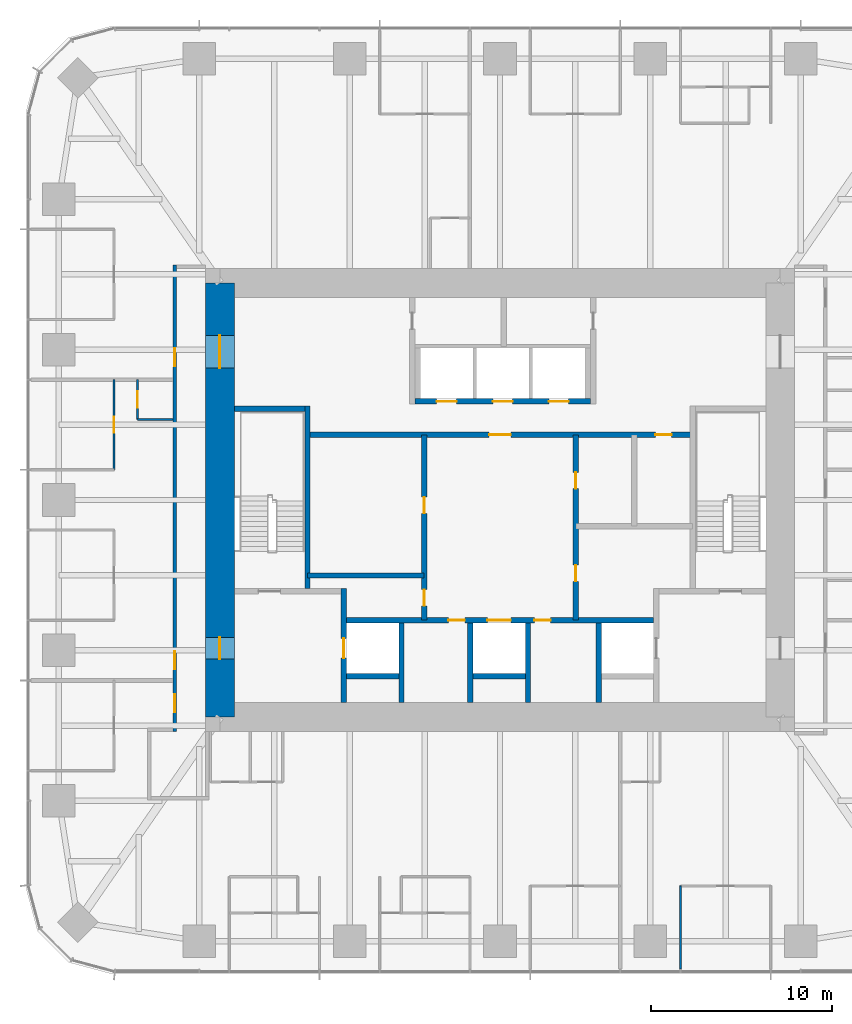
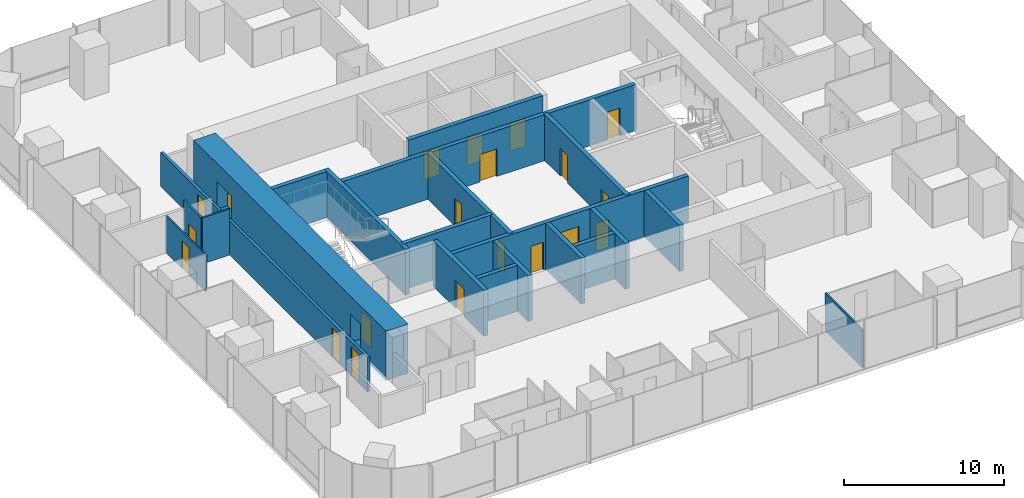
# One storey, part 9 of 12: 21 walls, 20 doors, 20 openings.
"""IFC4 building model written with IfcOpenShell, lengths in metres."""

from ifc_helpers import new_model, si_unit, direction, frame, frame_2d, origin, place, context, subcontext, project, spatial, rectangle, extrude, material, layer, layer_set, type_object, element, fill, save


model = new_model("IFC4")

# Units and contexts
model_context = context("Model", 3, precision=1e-05, world=origin(), true_north=direction((0.0, 1.0)))
body_context = subcontext(model_context, "Body", "Model", "MODEL_VIEW")
ifc_project = project(units=[si_unit("LENGTHUNIT", "METRE"), si_unit("AREAUNIT", "SQUARE_METRE"), si_unit("VOLUMEUNIT", "CUBIC_METRE"), si_unit("PLANEANGLEUNIT", "RADIAN"), si_unit("MASSUNIT", "GRAM", prefix="KILO")], contexts=[model_context])

# Site, building, storey
site_placement = place(None, origin())
site = spatial("IfcSite", under=ifc_project, at=site_placement, CompositionType="ELEMENT")
building_placement = place(site_placement, origin())
building = spatial("IfcBuilding", under=site, at=building_placement, Name="Khuree Lantern Residences", CompositionType="ELEMENT")
storey_placement = place(building_placement, frame((0.0, 0.0, 229.5)))
storey = spatial("IfcBuildingStorey", under=building, at=storey_placement, Name="L57", CompositionType="ELEMENT", Elevation=229.5)

# Wall, opening, door
ifc_material_1 = material(Name="Moisture-resistant gypsum board on steel studs", Category="steel")
ifc_layer_1 = layer(ifc_material_1, 0.125)
ifc_layer_set_1 = layer_set([ifc_layer_1], Name="BATHROOM WALL BTW125")
wall_type_1 = type_object("IfcWallType", Name="BATHROOM WALL BTW125", PredefinedType="PARTITIONING", material=ifc_layer_set_1)
wall_1_placement = place(storey_placement, frame((-20.050048828125, 6.656005859375, 0.0), z_axis=(0.0, 0.0, 1.0), x_axis=(0.0, -1.0, 0.0)))
wall_1 = element("IfcWall", 1, at=wall_1_placement, inside=storey, type_object=wall_type_1, Name="L57 BATHROOM WALL 04", PredefinedType="PARTITIONING", context=body_context, shape_type="SweptSolid", body=[
    extrude(rectangle(XDim=2.199951171875, YDim=0.125, at=frame_2d((1.10009765625, 0.0))), origin(), (0.0, 0.0, 1.0), 3.5),
])
opening_1_placement = place(wall_1_placement, frame((0.64990234375, 0.0, 0.0)))
opening_1 = element("IfcOpeningElement", 2, at=opening_1_placement, cuts=wall_1, Name="Opening 57-041", PredefinedType="OPENING", context=body_context, shape_type="SweptSolid", body=[
    extrude(rectangle(XDim=0.89990234375, YDim=2.10009765625, at=frame_2d((0.449951171875, 1.050048828125))), frame((0.0, 0.072509765625, 0.0), z_axis=(0.0, -1.0, 0.0), x_axis=(1.0, 0.0, 0.0)), (0.0, 0.0, 1.0), 0.14501953125),
])
ifc_material_2 = material(Name="Timber door leaf in hardwood frame", Category="wood")
door_type_1 = type_object("IfcDoorType", Name="BATHROOM DOOR 900X2100", OperationType="SINGLE_SWING_LEFT", PredefinedType="DOOR", material=ifc_material_2)
door_1_placement = place(opening_1_placement, origin())
door_1 = element("IfcDoor", 3, at=door_1_placement, inside=storey, type_object=door_type_1, Name="Bathroom door 57-041", OperationType="SINGLE_SWING_LEFT", OverallHeight=2.10009765625, OverallWidth=0.89990234375, PredefinedType="DOOR", context=body_context, shape_type="SweptSolid", body=[
    extrude(rectangle(XDim=0.89990234375, YDim=2.10009765625, at=frame_2d((0.449951171875, 1.050048828125))), frame((0.0, 0.02490234375, 0.0), z_axis=(0.0, -1.0, 0.0), x_axis=(1.0, 0.0, 0.0)), (0.0, 0.0, 1.0), 0.050048828125),
])
fill(opening_1, door_1)

# Wall
wall_2_placement = place(storey_placement, frame((-18.10009765625, 4.4560546875, 0.0), z_axis=(0.0, 0.0, 1.0), x_axis=(-1.0, 0.0, 0.0)))
element("IfcWall", 4, at=wall_2_placement, inside=storey, type_object=wall_type_1, Name="L57 BATHROOM WALL 04", PredefinedType="PARTITIONING", context=body_context, shape_type="SweptSolid", body=[
    extrude(rectangle(XDim=1.949951171875, YDim=0.125, at=frame_2d((0.97509765625, 0.0))), origin(), (0.0, 0.0, 1.0), 3.5),
])

# Wall, opening, door
ifc_material_3 = material(Name="Dense concrete blockwork", Category="masonry")
ifc_layer_2 = layer(ifc_material_3, 0.300048828125)
ifc_layer_set_2 = layer_set([ifc_layer_2], Name="CORE PARTITION WALL CPW300 EI 120")
wall_type_2 = type_object("IfcWallType", Name="CORE PARTITION WALL CPW300 EI 120", PredefinedType="PARTITIONING", material=ifc_layer_set_2)
wall_3_placement = place(storey_placement, frame((-8.64990234375, -11.199951171875, 0.0), z_axis=(0.0, 0.0, 1.0), x_axis=(0.0, 1.0, 0.0)))
wall_3 = element("IfcWall", 5, at=wall_3_placement, inside=storey, type_object=wall_type_2, Name="L57 CORE WALL FL1W", PredefinedType="PARTITIONING", context=body_context, shape_type="SweptSolid", body=[
    extrude(rectangle(XDim=6.300048828125, YDim=0.300048828125, at=frame_2d((3.14990234375, 0.0))), origin(), (0.0, 0.0, 1.0), 3.5),
])
opening_2_placement = place(wall_3_placement, frame((2.449951171875, 0.0, 0.0)))
opening_2 = element("IfcOpeningElement", 6, at=opening_2_placement, cuts=wall_3, Name="Opening 57-007", PredefinedType="OPENING", context=body_context, shape_type="SweptSolid", body=[
    extrude(rectangle(XDim=1.10009765625, YDim=2.10009765625, at=frame_2d((0.550048828125, 1.050048828125))), frame((0.0, 0.16015625, 0.0), z_axis=(0.0, -1.0, 0.0), x_axis=(1.0, 0.0, 0.0)), (0.0, 0.0, 1.0), 0.320068359375),
])
ifc_material_4 = material(Name="Stainless steel lift landing door", Category="steel")
door_type_2 = type_object("IfcDoorType", Name="LIFT LANDING DOOR 1100X2100 E 120", OperationType="DOUBLE_DOOR_SLIDING", PredefinedType="DOOR", material=ifc_material_4)
door_2_placement = place(opening_2_placement, origin())
door_2 = element("IfcDoor", 7, at=door_2_placement, inside=storey, type_object=door_type_2, Name="Landing door FL1 57-007", OperationType="DOUBLE_DOOR_SLIDING", OverallHeight=2.10009765625, OverallWidth=1.10009765625, PredefinedType="DOOR", context=body_context, shape_type="SweptSolid", body=[
    extrude(rectangle(XDim=1.10009765625, YDim=2.10009765625, at=frame_2d((0.550048828125, 1.050048828125))), frame((0.0, 0.02490234375, 0.0), z_axis=(0.0, -1.0, 0.0), x_axis=(1.0, 0.0, 0.0)), (0.0, 0.0, 1.0), 0.050048828125),
])
fill(opening_2, door_2)

# Wall, openings, doors
wall_4_placement = place(storey_placement, frame((-8.5, -6.64990234375, 0.0), z_axis=(0.0, 0.0, 1.0), x_axis=(1.0, 0.0, 0.0)))
wall_4 = element("IfcWall", 8, at=wall_4_placement, inside=storey, type_object=wall_type_2, Name="L57 CORE WALL FLROW", PredefinedType="PARTITIONING", context=body_context, shape_type="SweptSolid", body=[
    extrude(rectangle(XDim=17.0, YDim=0.300048828125, at=frame_2d((8.5, 0.0))), origin(), (0.0, 0.0, 1.0), 3.5),
])
opening_3_placement = place(wall_4_placement, frame((7.800048828125, 0.0, 0.0)))
opening_3 = element("IfcOpeningElement", 9, at=opening_3_placement, cuts=wall_4, Name="Opening 57-012", PredefinedType="OPENING", context=body_context, shape_type="SweptSolid", body=[
    extrude(rectangle(XDim=1.300048828125, YDim=2.39990234375, at=frame_2d((0.64990234375, 1.199951171875))), frame((0.0, 0.16015625, 0.0), z_axis=(0.0, -1.0, 0.0), x_axis=(1.0, 0.0, 0.0)), (0.0, 0.0, 1.0), 0.320068359375),
])
opening_4_placement = place(wall_4_placement, frame((5.64990234375, 0.0, 0.0)))
opening_4 = element("IfcOpeningElement", 10, at=opening_4_placement, cuts=wall_4, Name="Opening 57-014", PredefinedType="OPENING", context=body_context, shape_type="SweptSolid", body=[
    extrude(rectangle(XDim=0.89990234375, YDim=2.10009765625, at=frame_2d((0.449951171875, 1.050048828125))), frame((0.0, 0.16015625, 0.0), z_axis=(0.0, -1.0, 0.0), x_axis=(1.0, 0.0, 0.0)), (0.0, 0.0, 1.0), 0.320068359375),
])
opening_5_placement = place(wall_4_placement, frame((10.39990234375, 0.0, 0.0)))
opening_5 = element("IfcOpeningElement", 11, at=opening_5_placement, cuts=wall_4, Name="Opening 57-015", PredefinedType="OPENING", context=body_context, shape_type="SweptSolid", body=[
    extrude(rectangle(XDim=0.89990234375, YDim=2.10009765625, at=frame_2d((0.449951171875, 1.050048828125))), frame((0.0, 0.16015625, 0.0), z_axis=(0.0, -1.0, 0.0), x_axis=(1.0, 0.0, 0.0)), (0.0, 0.0, 1.0), 0.320068359375),
])
ifc_material_5 = material(Name="Steel door leaf in steel frame", Category="steel")
door_type_3 = type_object("IfcDoorType", Name="DOOR 900X2100 EI 60", OperationType="SINGLE_SWING_LEFT", PredefinedType="DOOR", material=ifc_material_5)
door_3_placement = place(opening_4_placement, origin())
door_3 = element("IfcDoor", 12, at=door_3_placement, inside=storey, type_object=door_type_3, Name="Refuse chute room door 57-014", OperationType="SINGLE_SWING_LEFT", OverallHeight=2.10009765625, OverallWidth=0.89990234375, PredefinedType="DOOR", context=body_context, shape_type="SweptSolid", body=[
    extrude(rectangle(XDim=0.89990234375, YDim=2.10009765625, at=frame_2d((0.449951171875, 1.050048828125))), frame((0.0, 0.02490234375, 0.0), z_axis=(0.0, -1.0, 0.0), x_axis=(1.0, 0.0, 0.0)), (0.0, 0.0, 1.0), 0.050048828125),
])
fill(opening_4, door_3)
door_type_4 = type_object("IfcDoorType", Name="DOOR 900X2100 EI 60 RIGHT HAND", OperationType="SINGLE_SWING_RIGHT", PredefinedType="DOOR", material=ifc_material_5)
door_4_placement = place(opening_5_placement, origin())
door_4 = element("IfcDoor", 13, at=door_4_placement, inside=storey, type_object=door_type_4, Name="Electrical and plumbing riser door 57-015", OperationType="SINGLE_SWING_RIGHT", OverallHeight=2.10009765625, OverallWidth=0.89990234375, PredefinedType="DOOR", context=body_context, shape_type="SweptSolid", body=[
    extrude(rectangle(XDim=0.89990234375, YDim=2.10009765625, at=frame_2d((0.449951171875, 1.050048828125))), frame((0.0, 0.02490234375, 0.0), z_axis=(0.0, -1.0, 0.0), x_axis=(1.0, 0.0, 0.0)), (0.0, 0.0, 1.0), 0.050048828125),
])
fill(opening_5, door_4)
door_type_5 = type_object("IfcDoorType", Name="LIFT LANDING DOOR 1300X2400 E 60", OperationType="DOUBLE_DOOR_SLIDING", PredefinedType="DOOR", material=ifc_material_4)
door_5_placement = place(opening_3_placement, origin())
door_5 = element("IfcDoor", 14, at=door_5_placement, inside=storey, type_object=door_type_5, Name="Landing door SL1 57-012", OperationType="DOUBLE_DOOR_SLIDING", OverallHeight=2.39990234375, OverallWidth=1.300048828125, PredefinedType="DOOR", context=body_context, shape_type="SweptSolid", body=[
    extrude(rectangle(XDim=1.300048828125, YDim=2.39990234375, at=frame_2d((0.64990234375, 1.199951171875))), frame((0.0, 0.02490234375, 0.0), z_axis=(0.0, -1.0, 0.0), x_axis=(1.0, 0.0, 0.0)), (0.0, 0.0, 1.0), 0.050048828125),
])
fill(opening_3, door_5)

# Walls
for number, where, z_axis, x_axis, name in (
    (15, (-5.449951171875, -11.199951171875, 0.0), (0.0, 0.0, 1.0), (0.0, 1.0, 0.0), "L57 CORE WALL FL1E"),
    (16, (-1.64990234375, -11.199951171875, 0.0), (0.0, 0.0, 1.0), (0.0, 1.0, 0.0), "L57 CORE WALL SL1W"),
    (17, (1.550048828125, -11.199951171875, 0.0), (0.0, 0.0, 1.0), (0.0, 1.0, 0.0), "L57 CORE WALL SL1E"),
    (18, (5.449951171875, -11.199951171875, 0.0), (0.0, 0.0, 1.0), (0.0, 1.0, 0.0), "L57 CORE WALL FL2W"),
):
    element("IfcWall", number, at=place(storey_placement, frame(where, z_axis=z_axis, x_axis=x_axis)), inside=storey, type_object=wall_type_2, Name=name, PredefinedType="PARTITIONING", context=body_context, shape_type="SweptSolid", body=[
        extrude(rectangle(XDim=4.39990234375, YDim=0.300048828125, at=frame_2d((2.199951171875, 0.0))), origin(), (0.0, 0.0, 1.0), 3.5),
    ])
for number, where, z_axis, x_axis, name in (
    (19, (-8.5, -9.75, 0.0), (0.0, 0.0, 1.0), (1.0, 0.0, 0.0), "L57 CORE WALL FL1S"),
    (20, (-1.5, -9.75, 0.0), (0.0, 0.0, 1.0), (1.0, 0.0, 0.0), "L57 CORE WALL SL1S"),
):
    element("IfcWall", number, at=place(storey_placement, frame(where, z_axis=z_axis, x_axis=x_axis)), inside=storey, type_object=wall_type_2, Name=name, PredefinedType="PARTITIONING", context=body_context, shape_type="SweptSolid", body=[
        extrude(rectangle(XDim=2.89990234375, YDim=0.300048828125, at=frame_2d((1.449951171875, 0.0))), origin(), (0.0, 0.0, 1.0), 3.5),
    ])

# Wall, openings, doors
wall_5_placement = place(storey_placement, frame((-4.699951171875, 5.449951171875, 0.0), z_axis=(0.0, 0.0, 1.0), x_axis=(1.0, 0.0, 0.0)))
wall_5 = element("IfcWall", 21, at=wall_5_placement, inside=storey, type_object=wall_type_2, Name="L57 CORE WALL PHS", PredefinedType="PARTITIONING", context=body_context, shape_type="SweptSolid", body=[
    extrude(rectangle(XDim=9.699951171875, YDim=0.300048828125, at=frame_2d((4.85009765625, 0.0))), origin(), (0.0, 0.0, 1.0), 3.5),
])
opening_6_placement = place(wall_5_placement, frame((1.199951171875, 0.0, 0.0)))
opening_6 = element("IfcOpeningElement", 22, at=opening_6_placement, cuts=wall_5, Name="Opening 57-009", PredefinedType="OPENING", context=body_context, shape_type="SweptSolid", body=[
    extrude(rectangle(XDim=1.10009765625, YDim=2.10009765625, at=frame_2d((0.550048828125, 1.050048828125))), frame((0.0, 0.16015625, 0.0), z_axis=(0.0, -1.0, 0.0), x_axis=(1.0, 0.0, 0.0)), (0.0, 0.0, 1.0), 0.320068359375),
])
opening_7_placement = place(wall_5_placement, frame((4.300048828125, 0.0, 0.0)))
opening_7 = element("IfcOpeningElement", 23, at=opening_7_placement, cuts=wall_5, Name="Opening 57-010", PredefinedType="OPENING", context=body_context, shape_type="SweptSolid", body=[
    extrude(rectangle(XDim=1.10009765625, YDim=2.10009765625, at=frame_2d((0.550048828125, 1.050048828125))), frame((0.0, 0.16015625, 0.0), z_axis=(0.0, -1.0, 0.0), x_axis=(1.0, 0.0, 0.0)), (0.0, 0.0, 1.0), 0.320068359375),
])
opening_8_placement = place(wall_5_placement, frame((7.39990234375, 0.0, 0.0)))
opening_8 = element("IfcOpeningElement", 24, at=opening_8_placement, cuts=wall_5, Name="Opening 57-011", PredefinedType="OPENING", context=body_context, shape_type="SweptSolid", body=[
    extrude(rectangle(XDim=1.10009765625, YDim=2.10009765625, at=frame_2d((0.550048828125, 1.050048828125))), frame((0.0, 0.16015625, 0.0), z_axis=(0.0, -1.0, 0.0), x_axis=(1.0, 0.0, 0.0)), (0.0, 0.0, 1.0), 0.320068359375),
])
door_type_6 = type_object("IfcDoorType", Name="LIFT LANDING DOOR 1100X2100 E 60", OperationType="DOUBLE_DOOR_SLIDING", PredefinedType="DOOR", material=ifc_material_4)
door_6_placement = place(opening_6_placement, origin())
door_6 = element("IfcDoor", 25, at=door_6_placement, inside=storey, type_object=door_type_6, Name="Landing door PH1 57-009", OperationType="DOUBLE_DOOR_SLIDING", OverallHeight=2.10009765625, OverallWidth=1.10009765625, PredefinedType="DOOR", context=body_context, shape_type="SweptSolid", body=[
    extrude(rectangle(XDim=1.10009765625, YDim=2.10009765625, at=frame_2d((0.550048828125, 1.050048828125))), frame((0.0, 0.02490234375, 0.0), z_axis=(0.0, -1.0, 0.0), x_axis=(1.0, 0.0, 0.0)), (0.0, 0.0, 1.0), 0.050048828125),
])
fill(opening_6, door_6)
door_7_placement = place(opening_7_placement, origin())
door_7 = element("IfcDoor", 26, at=door_7_placement, inside=storey, type_object=door_type_6, Name="Landing door PH2 57-010", OperationType="DOUBLE_DOOR_SLIDING", OverallHeight=2.10009765625, OverallWidth=1.10009765625, PredefinedType="DOOR", context=body_context, shape_type="SweptSolid", body=[
    extrude(rectangle(XDim=1.10009765625, YDim=2.10009765625, at=frame_2d((0.550048828125, 1.050048828125))), frame((0.0, 0.02490234375, 0.0), z_axis=(0.0, -1.0, 0.0), x_axis=(1.0, 0.0, 0.0)), (0.0, 0.0, 1.0), 0.050048828125),
])
fill(opening_7, door_7)
door_8_placement = place(opening_8_placement, origin())
door_8 = element("IfcDoor", 27, at=door_8_placement, inside=storey, type_object=door_type_6, Name="Landing door PH3 57-011", OperationType="DOUBLE_DOOR_SLIDING", OverallHeight=2.10009765625, OverallWidth=1.10009765625, PredefinedType="DOOR", context=body_context, shape_type="SweptSolid", body=[
    extrude(rectangle(XDim=1.10009765625, YDim=2.10009765625, at=frame_2d((0.550048828125, 1.050048828125))), frame((0.0, 0.02490234375, 0.0), z_axis=(0.0, -1.0, 0.0), x_axis=(1.0, 0.0, 0.0)), (0.0, 0.0, 1.0), 0.050048828125),
])
fill(opening_8, door_8)

wall_6_placement = place(storey_placement, frame((-10.64990234375, 3.60009765625, 0.0), z_axis=(0.0, 0.0, 1.0), x_axis=(1.0, 0.0, 0.0)))
wall_6 = element("IfcWall", 28, at=wall_6_placement, inside=storey, type_object=wall_type_2, Name="L57 CORE WALL LLS", PredefinedType="PARTITIONING", context=body_context, shape_type="SweptSolid", body=[
    extrude(rectangle(XDim=21.2998046875, YDim=0.300048828125, at=frame_2d((10.64990234375, 0.0))), origin(), (0.0, 0.0, 1.0), 3.5),
])
opening_9_placement = place(wall_6_placement, frame((10.050048828125, 0.0, 0.0)))
opening_9 = element("IfcOpeningElement", 29, at=opening_9_placement, cuts=wall_6, Name="Opening 57-013", PredefinedType="OPENING", context=body_context, shape_type="SweptSolid", body=[
    extrude(rectangle(XDim=1.199951171875, YDim=2.10009765625, at=frame_2d((0.60009765625, 1.050048828125))), frame((0.0, 0.16015625, 0.0), z_axis=(0.0, -1.0, 0.0), x_axis=(1.0, 0.0, 0.0)), (0.0, 0.0, 1.0), 0.320068359375),
])
opening_10_placement = place(wall_6_placement, frame((19.238037109375, 0.0, 0.0)))
opening_10 = element("IfcOpeningElement", 30, at=opening_10_placement, cuts=wall_6, Name="Opening 57-020", PredefinedType="OPENING", context=body_context, shape_type="SweptSolid", body=[
    extrude(rectangle(XDim=0.89990234375, YDim=2.10009765625, at=frame_2d((0.449951171875, 1.050048828125))), frame((0.0, 0.16015625, 0.0), z_axis=(0.0, -1.0, 0.0), x_axis=(1.0, 0.0, 0.0)), (0.0, 0.0, 1.0), 0.320068359375),
])
door_type_7 = type_object("IfcDoorType", Name="DOOR 1200X2100 EI 60", OperationType="SINGLE_SWING_LEFT", PredefinedType="DOOR", material=ifc_material_5)
door_9_placement = place(opening_9_placement, origin())
door_9 = element("IfcDoor", 31, at=door_9_placement, inside=storey, type_object=door_type_7, Name="Service lift lobby door 57-013", OperationType="SINGLE_SWING_LEFT", OverallHeight=2.10009765625, OverallWidth=1.199951171875, PredefinedType="DOOR", context=body_context, shape_type="SweptSolid", body=[
    extrude(rectangle(XDim=1.199951171875, YDim=2.10009765625, at=frame_2d((0.60009765625, 1.050048828125))), frame((0.0, 0.02490234375, 0.0), z_axis=(0.0, -1.0, 0.0), x_axis=(1.0, 0.0, 0.0)), (0.0, 0.0, 1.0), 0.050048828125),
])
fill(opening_9, door_9)
door_type_8 = type_object("IfcDoorType", Name="DOOR 900X2100 RIGHT HAND", OperationType="SINGLE_SWING_RIGHT", PredefinedType="DOOR", material=ifc_material_2)
door_10_placement = place(opening_10_placement, origin())
door_10 = element("IfcDoor", 32, at=door_10_placement, inside=storey, type_object=door_type_8, Name="Building management room door 57-020", OperationType="SINGLE_SWING_RIGHT", OverallHeight=2.10009765625, OverallWidth=0.89990234375, PredefinedType="DOOR", context=body_context, shape_type="SweptSolid", body=[
    extrude(rectangle(XDim=0.89990234375, YDim=2.10009765625, at=frame_2d((0.449951171875, 1.050048828125))), frame((0.0, 0.02490234375, 0.0), z_axis=(0.0, -1.0, 0.0), x_axis=(1.0, 0.0, 0.0)), (0.0, 0.0, 1.0), 0.050048828125),
])
fill(opening_10, door_10)

wall_7_placement = place(storey_placement, frame((-4.199951171875, -6.64990234375, 0.0), z_axis=(0.0, 0.0, 1.0), x_axis=(0.0, 1.0, 0.0)))
wall_7 = element("IfcWall", 33, at=wall_7_placement, inside=storey, type_object=wall_type_2, Name="L57 CORE WALL SVW", PredefinedType="PARTITIONING", context=body_context, shape_type="SweptSolid", body=[
    extrude(rectangle(XDim=10.25, YDim=0.300048828125, at=frame_2d((5.125, 0.0))), origin(), (0.0, 0.0, 1.0), 3.5),
])
opening_11_placement = place(wall_7_placement, frame((0.787109375, 0.0, 0.0)))
opening_11 = element("IfcOpeningElement", 34, at=opening_11_placement, cuts=wall_7, Name="Opening 57-016", PredefinedType="OPENING", context=body_context, shape_type="SweptSolid", body=[
    extrude(rectangle(XDim=0.89990234375, YDim=2.10009765625, at=frame_2d((0.449951171875, 1.050048828125))), frame((0.0, 0.16015625, 0.0), z_axis=(0.0, -1.0, 0.0), x_axis=(1.0, 0.0, 0.0)), (0.0, 0.0, 1.0), 0.320068359375),
])
opening_12_placement = place(wall_7_placement, frame((5.912109375, 0.0, 0.0)))
opening_12 = element("IfcOpeningElement", 35, at=opening_12_placement, cuts=wall_7, Name="Opening 57-017", PredefinedType="OPENING", context=body_context, shape_type="SweptSolid", body=[
    extrude(rectangle(XDim=0.89990234375, YDim=2.10009765625, at=frame_2d((0.449951171875, 1.050048828125))), frame((0.0, 0.16015625, 0.0), z_axis=(0.0, -1.0, 0.0), x_axis=(1.0, 0.0, 0.0)), (0.0, 0.0, 1.0), 0.320068359375),
])
door_type_9 = type_object("IfcDoorType", Name="DOOR 900X2100", OperationType="SINGLE_SWING_LEFT", PredefinedType="DOOR", material=ifc_material_2)
door_11_placement = place(opening_11_placement, origin())
door_11 = element("IfcDoor", 36, at=door_11_placement, inside=storey, type_object=door_type_9, Name="IT room door 57-016", OperationType="SINGLE_SWING_LEFT", OverallHeight=2.10009765625, OverallWidth=0.89990234375, PredefinedType="DOOR", context=body_context, shape_type="SweptSolid", body=[
    extrude(rectangle(XDim=0.89990234375, YDim=2.10009765625, at=frame_2d((0.449951171875, 1.050048828125))), frame((0.0, 0.02490234375, 0.0), z_axis=(0.0, -1.0, 0.0), x_axis=(1.0, 0.0, 0.0)), (0.0, 0.0, 1.0), 0.050048828125),
])
fill(opening_11, door_11)
door_12_placement = place(opening_12_placement, origin())
door_12 = element("IfcDoor", 37, at=door_12_placement, inside=storey, type_object=door_type_9, Name="Residents' store door 57-017", OperationType="SINGLE_SWING_LEFT", OverallHeight=2.10009765625, OverallWidth=0.89990234375, PredefinedType="DOOR", context=body_context, shape_type="SweptSolid", body=[
    extrude(rectangle(XDim=0.89990234375, YDim=2.10009765625, at=frame_2d((0.449951171875, 1.050048828125))), frame((0.0, 0.02490234375, 0.0), z_axis=(0.0, -1.0, 0.0), x_axis=(1.0, 0.0, 0.0)), (0.0, 0.0, 1.0), 0.050048828125),
])
fill(opening_12, door_12)

wall_8_placement = place(storey_placement, frame((4.199951171875, -6.64990234375, 0.0), z_axis=(0.0, 0.0, 1.0), x_axis=(0.0, 1.0, 0.0)))
wall_8 = element("IfcWall", 38, at=wall_8_placement, inside=storey, type_object=wall_type_2, Name="L57 CORE WALL SVE", PredefinedType="PARTITIONING", context=body_context, shape_type="SweptSolid", body=[
    extrude(rectangle(XDim=10.25, YDim=0.300048828125, at=frame_2d((5.125, 0.0))), origin(), (0.0, 0.0, 1.0), 3.5),
])
opening_13_placement = place(wall_8_placement, frame((2.14990234375, 0.0, 0.0)))
opening_13 = element("IfcOpeningElement", 39, at=opening_13_placement, cuts=wall_8, Name="Opening 57-018", PredefinedType="OPENING", context=body_context, shape_type="SweptSolid", body=[
    extrude(rectangle(XDim=0.89990234375, YDim=2.10009765625, at=frame_2d((0.449951171875, 1.050048828125))), frame((0.0, 0.16015625, 0.0), z_axis=(0.0, -1.0, 0.0), x_axis=(1.0, 0.0, 0.0)), (0.0, 0.0, 1.0), 0.320068359375),
])
opening_14_placement = place(wall_8_placement, frame((7.27490234375, 0.0, 0.0)))
opening_14 = element("IfcOpeningElement", 40, at=opening_14_placement, cuts=wall_8, Name="Opening 57-019", PredefinedType="OPENING", context=body_context, shape_type="SweptSolid", body=[
    extrude(rectangle(XDim=0.89990234375, YDim=2.10009765625, at=frame_2d((0.449951171875, 1.050048828125))), frame((0.0, 0.16015625, 0.0), z_axis=(0.0, -1.0, 0.0), x_axis=(1.0, 0.0, 0.0)), (0.0, 0.0, 1.0), 0.320068359375),
])
door_13_placement = place(opening_13_placement, origin())
door_13 = element("IfcDoor", 41, at=door_13_placement, inside=storey, type_object=door_type_9, Name="Residents' store door 57-018", OperationType="SINGLE_SWING_LEFT", OverallHeight=2.10009765625, OverallWidth=0.89990234375, PredefinedType="DOOR", context=body_context, shape_type="SweptSolid", body=[
    extrude(rectangle(XDim=0.89990234375, YDim=2.10009765625, at=frame_2d((0.449951171875, 1.050048828125))), frame((0.0, 0.02490234375, 0.0), z_axis=(0.0, -1.0, 0.0), x_axis=(1.0, 0.0, 0.0)), (0.0, 0.0, 1.0), 0.050048828125),
])
fill(opening_13, door_13)
door_14_placement = place(opening_14_placement, origin())
door_14 = element("IfcDoor", 42, at=door_14_placement, inside=storey, type_object=door_type_8, Name="Housekeeping store door 57-019", OperationType="SINGLE_SWING_RIGHT", OverallHeight=2.10009765625, OverallWidth=0.89990234375, PredefinedType="DOOR", context=body_context, shape_type="SweptSolid", body=[
    extrude(rectangle(XDim=0.89990234375, YDim=2.10009765625, at=frame_2d((0.449951171875, 1.050048828125))), frame((0.0, 0.02490234375, 0.0), z_axis=(0.0, -1.0, 0.0), x_axis=(1.0, 0.0, 0.0)), (0.0, 0.0, 1.0), 0.050048828125),
])
fill(opening_14, door_14)

# Wall
wall_9_placement = place(storey_placement, frame((-10.64990234375, -4.177001953125, 0.0), z_axis=(0.0, 0.0, 1.0), x_axis=(1.0, 0.0, 0.0)))
element("IfcWall", 43, at=wall_9_placement, inside=storey, type_object=wall_type_2, Name="L57 CORE WALL WX", PredefinedType="PARTITIONING", context=body_context, shape_type="SweptSolid", body=[
    extrude(rectangle(XDim=6.449951171875, YDim=0.300048828125, at=frame_2d((3.22509765625, 0.0))), origin(), (0.0, 0.0, 1.0), 3.5),
])

# Wall, openings, doors
ifc_material_6 = material(Name="Gypsum board on steel studs", Category="steel")
ifc_layer_3 = layer(ifc_material_6, 0.199951171875)
ifc_layer_set_3 = layer_set([ifc_layer_3], Name="CORRIDOR WALL CRW200 EI 60")
wall_type_3 = type_object("IfcWallType", Name="CORRIDOR WALL CRW200 EI 60", PredefinedType="PARTITIONING", material=ifc_layer_set_3)
wall_10_placement = place(storey_placement, frame((-18.0, 13.0, 0.0), z_axis=(0.0, 0.0, 1.0), x_axis=(0.0, -1.0, 0.0)))
wall_10 = element("IfcWall", 44, at=wall_10_placement, inside=storey, type_object=wall_type_3, Name="L57 CORRIDOR WALL WEST 1", PredefinedType="PARTITIONING", context=body_context, shape_type="SweptSolid", body=[
    extrude(rectangle(XDim=25.800048828125, YDim=0.199951171875, at=frame_2d((12.89990234375, 0.0))), origin(), (0.0, 0.0, 1.0), 2.60009765625),
])
opening_15_placement = place(wall_10_placement, frame((4.60009765625, 0.0, 0.0)))
opening_15 = element("IfcOpeningElement", 45, at=opening_15_placement, cuts=wall_10, Name="Opening 57-038", PredefinedType="OPENING", context=body_context, shape_type="SweptSolid", body=[
    extrude(rectangle(XDim=1.0, YDim=2.199951171875, at=frame_2d((0.5, 1.10009765625))), frame((0.0, 0.10986328125, 0.0), z_axis=(0.0, -1.0, 0.0), x_axis=(1.0, 0.0, 0.0)), (0.0, 0.0, 1.0), 0.219970703125),
])
opening_16_placement = place(wall_10_placement, frame((21.364013671875, 0.0, 0.0)))
opening_16 = element("IfcOpeningElement", 46, at=opening_16_placement, cuts=wall_10, Name="Opening 57-042", PredefinedType="OPENING", context=body_context, shape_type="SweptSolid", body=[
    extrude(rectangle(XDim=1.0, YDim=2.199951171875, at=frame_2d((0.5, 1.10009765625))), frame((0.0, 0.10986328125, 0.0), z_axis=(0.0, -1.0, 0.0), x_axis=(1.0, 0.0, 0.0)), (0.0, 0.0, 1.0), 0.219970703125),
])
opening_17_placement = place(wall_10_placement, frame((23.75390625, 0.0, 0.0)))
opening_17 = element("IfcOpeningElement", 47, at=opening_17_placement, cuts=wall_10, Name="Opening 57-051", PredefinedType="OPENING", context=body_context, shape_type="SweptSolid", body=[
    extrude(rectangle(XDim=1.0, YDim=2.199951171875, at=frame_2d((0.5, 1.10009765625))), frame((0.0, 0.10986328125, 0.0), z_axis=(0.0, -1.0, 0.0), x_axis=(1.0, 0.0, 0.0)), (0.0, 0.0, 1.0), 0.219970703125),
])
door_type_10 = type_object("IfcDoorType", Name="APARTMENT ENTRANCE DOOR 1000X2200 EI 30S", OperationType="SINGLE_SWING_LEFT", PredefinedType="DOOR", material=ifc_material_2)
door_15_placement = place(opening_15_placement, origin())
door_15 = element("IfcDoor", 48, at=door_15_placement, inside=storey, type_object=door_type_10, Name="Apartment 03 entrance door 57-038", OperationType="SINGLE_SWING_LEFT", OverallHeight=2.199951171875, OverallWidth=1.0, PredefinedType="DOOR", context=body_context, shape_type="SweptSolid", body=[
    extrude(rectangle(XDim=1.0, YDim=2.199951171875, at=frame_2d((0.5, 1.10009765625))), frame((0.0, 0.02490234375, 0.0), z_axis=(0.0, -1.0, 0.0), x_axis=(1.0, 0.0, 0.0)), (0.0, 0.0, 1.0), 0.050048828125),
])
fill(opening_15, door_15)
door_16_placement = place(opening_16_placement, origin())
door_16 = element("IfcDoor", 49, at=door_16_placement, inside=storey, type_object=door_type_10, Name="Apartment 04 entrance door 57-042", OperationType="SINGLE_SWING_LEFT", OverallHeight=2.199951171875, OverallWidth=1.0, PredefinedType="DOOR", context=body_context, shape_type="SweptSolid", body=[
    extrude(rectangle(XDim=1.0, YDim=2.199951171875, at=frame_2d((0.5, 1.10009765625))), frame((0.0, 0.02490234375, 0.0), z_axis=(0.0, -1.0, 0.0), x_axis=(1.0, 0.0, 0.0)), (0.0, 0.0, 1.0), 0.050048828125),
])
fill(opening_16, door_16)
door_17_placement = place(opening_17_placement, origin())
door_17 = element("IfcDoor", 50, at=door_17_placement, inside=storey, type_object=door_type_10, Name="Apartment 05 entrance door 57-051", OperationType="SINGLE_SWING_LEFT", OverallHeight=2.199951171875, OverallWidth=1.0, PredefinedType="DOOR", context=body_context, shape_type="SweptSolid", body=[
    extrude(rectangle(XDim=1.0, YDim=2.199951171875, at=frame_2d((0.5, 1.10009765625))), frame((0.0, 0.02490234375, 0.0), z_axis=(0.0, -1.0, 0.0), x_axis=(1.0, 0.0, 0.0)), (0.0, 0.0, 1.0), 0.050048828125),
])
fill(opening_17, door_17)

ifc_material_7 = material(Name="Concrete C50/60", Category="concrete")
ifc_layer_4 = layer(ifc_material_7, 1.60009765625)
ifc_layer_set_4 = layer_set([ifc_layer_4], Name="CW1600-C50 CORE WALL C50 1600")
wall_type_4 = type_object("IfcWallType", Name="CW1600-C50 CORE WALL C50 1600", PredefinedType="SHEAR", material=ifc_layer_set_4)
wall_11_placement = place(storey_placement, frame((-15.5, -12.0, -0.25), z_axis=(0.0, 0.0, 1.0), x_axis=(0.0, 1.0, 0.0)))
wall_11 = element("IfcWall", 51, at=wall_11_placement, inside=storey, type_object=wall_type_4, Name="Core wall W", PredefinedType="SHEAR", context=body_context, shape_type="SweptSolid", body=[
    extrude(rectangle(XDim=24.0, YDim=1.60009765625, at=frame_2d((12.0, 0.0))), origin(), (0.0, 0.0, 1.0), 3.75),
])
opening_18_placement = place(wall_11_placement, frame((3.199951171875, 0.0, 0.25)))
opening_18 = element("IfcOpeningElement", 52, at=opening_18_placement, cuts=wall_11, Name="Opening 57-002", PredefinedType="OPENING", context=body_context, shape_type="SweptSolid", body=[
    extrude(rectangle(XDim=1.199951171875, YDim=2.10009765625, at=frame_2d((0.60009765625, 1.050048828125))), frame((0.0, 0.81005859375, 0.0), z_axis=(0.0, -1.0, 0.0), x_axis=(1.0, 0.0, 0.0)), (0.0, 0.0, 1.0), 1.6201171875),
])
opening_19_placement = place(wall_11_placement, frame((19.300048828125, 0.0, 0.25)))
opening_19 = element("IfcOpeningElement", 53, at=opening_19_placement, cuts=wall_11, Name="Opening 57-003", PredefinedType="OPENING", context=body_context, shape_type="SweptSolid", body=[
    extrude(rectangle(XDim=1.800048828125, YDim=2.10009765625, at=frame_2d((0.89990234375, 1.050048828125))), frame((0.0, 0.81005859375, 0.0), z_axis=(0.0, -1.0, 0.0), x_axis=(1.0, 0.0, 0.0)), (0.0, 0.0, 1.0), 1.6201171875),
])
door_type_11 = type_object("IfcDoorType", Name="LOBBY DOOR 1200X2100 EI 120", OperationType="SINGLE_SWING_LEFT", PredefinedType="DOOR", material=ifc_material_5)
door_18_placement = place(opening_18_placement, origin())
door_18 = element("IfcDoor", 54, at=door_18_placement, inside=storey, type_object=door_type_11, Name="Firefighting lobby door 57-002", OperationType="SINGLE_SWING_LEFT", OverallHeight=2.10009765625, OverallWidth=1.199951171875, PredefinedType="DOOR", context=body_context, shape_type="SweptSolid", body=[
    extrude(rectangle(XDim=1.199951171875, YDim=2.10009765625, at=frame_2d((0.60009765625, 1.050048828125))), frame((0.0, 0.02490234375, 0.0), z_axis=(0.0, -1.0, 0.0), x_axis=(1.0, 0.0, 0.0)), (0.0, 0.0, 1.0), 0.050048828125),
])
fill(opening_18, door_18)
door_type_12 = type_object("IfcDoorType", Name="LOBBY DOUBLE DOOR 1800X2100 EI 60", OperationType="DOUBLE_DOOR_SINGLE_SWING", PredefinedType="DOOR", material=ifc_material_5)
door_19_placement = place(opening_19_placement, origin())
door_19 = element("IfcDoor", 55, at=door_19_placement, inside=storey, type_object=door_type_12, Name="Lift lobby door 57-003", OperationType="DOUBLE_DOOR_SINGLE_SWING", OverallHeight=2.10009765625, OverallWidth=1.800048828125, PredefinedType="DOOR", context=body_context, shape_type="SweptSolid", body=[
    extrude(rectangle(XDim=1.800048828125, YDim=2.10009765625, at=frame_2d((0.89990234375, 1.050048828125))), frame((0.0, 0.02490234375, 0.0), z_axis=(0.0, -1.0, 0.0), x_axis=(1.0, 0.0, 0.0)), (0.0, 0.0, 1.0), 0.050048828125),
])
fill(opening_19, door_19)

# Wall
ifc_layer_5 = layer(ifc_material_6, 0.10009765625)
ifc_layer_set_5 = layer_set([ifc_layer_5], Name="PARTITION PT100")
wall_type_5 = type_object("IfcWallType", Name="PARTITION PT100", PredefinedType="PARTITIONING", material=ifc_layer_set_5)
wall_12_placement = place(storey_placement, frame((9.98388671875, -21.35009765625, 0.0), z_axis=(0.0, 0.0, 1.0), x_axis=(0.0, -1.0, 0.0)))
element("IfcWall", 56, at=wall_12_placement, inside=storey, type_object=wall_type_5, Name="L57 PARTITION 06", PredefinedType="PARTITIONING", context=body_context, shape_type="SweptSolid", body=[
    extrude(rectangle(XDim=4.599853515625, YDim=0.10009765625, at=frame_2d((2.2998046875, 0.0))), origin(), (0.0, 0.0, 1.0), 2.909912109375),
])

# Wall, opening, door
wall_13_placement = place(storey_placement, frame((-21.35009765625, 6.656005859375, 0.0), z_axis=(0.0, 0.0, 1.0), x_axis=(0.0, -1.0, 0.0)))
wall_13 = element("IfcWall", 57, at=wall_13_placement, inside=storey, type_object=wall_type_5, Name="L57 PARTITION 04", PredefinedType="PARTITIONING", context=body_context, shape_type="SweptSolid", body=[
    extrude(rectangle(XDim=4.991943359375, YDim=0.10009765625, at=frame_2d((2.49609375, 0.0))), origin(), (0.0, 0.0, 1.0), 2.81005859375),
])
opening_20_placement = place(wall_13_placement, frame((2.0458984375, 0.0, 0.0)))
opening_20 = element("IfcOpeningElement", 58, at=opening_20_placement, cuts=wall_13, Name="Opening 57-039", PredefinedType="OPENING", context=body_context, shape_type="SweptSolid", body=[
    extrude(rectangle(XDim=0.89990234375, YDim=2.10009765625, at=frame_2d((0.449951171875, 1.050048828125))), frame((0.0, 0.06005859375, 0.0), z_axis=(0.0, -1.0, 0.0), x_axis=(1.0, 0.0, 0.0)), (0.0, 0.0, 1.0), 0.1201171875),
])
door_type_13 = type_object("IfcDoorType", Name="BEDROOM DOOR 900X2100", OperationType="SINGLE_SWING_LEFT", PredefinedType="DOOR", material=ifc_material_2)
door_20_placement = place(opening_20_placement, origin())
door_20 = element("IfcDoor", 59, at=door_20_placement, inside=storey, type_object=door_type_13, Name="Bedroom door 57-039", OperationType="SINGLE_SWING_LEFT", OverallHeight=2.10009765625, OverallWidth=0.89990234375, PredefinedType="DOOR", context=body_context, shape_type="SweptSolid", body=[
    extrude(rectangle(XDim=0.89990234375, YDim=2.10009765625, at=frame_2d((0.449951171875, 1.050048828125))), frame((0.0, 0.02490234375, 0.0), z_axis=(0.0, -1.0, 0.0), x_axis=(1.0, 0.0, 0.0)), (0.0, 0.0, 1.0), 0.050048828125),
])
fill(opening_20, door_20)

# Walls
ifc_layer_6 = layer(ifc_material_7, 0.300048828125)
ifc_layer_set_6 = layer_set([ifc_layer_6], Name="STAIR WALL SRW300 C50/60 REI 240")
wall_type_6 = type_object("IfcWallType", Name="STAIR WALL SRW300 C50/60 REI 240", PredefinedType="SOLIDWALL", material=ifc_layer_set_6)
wall_14_placement = place(storey_placement, frame((-10.64990234375, -4.89990234375, 0.0), z_axis=(0.0, 0.0, 1.0), x_axis=(0.0, 1.0, 0.0)))
element("IfcWall", 60, at=wall_14_placement, inside=storey, type_object=wall_type_6, Name="L57 STAIR WALL ST1E", PredefinedType="SOLIDWALL", context=body_context, shape_type="SweptSolid", body=[
    extrude(rectangle(XDim=10.099853515625, YDim=0.300048828125, at=frame_2d((5.0498046875, 0.0))), origin(), (0.0, 0.0, 1.0), 3.5),
])
wall_15_placement = place(storey_placement, frame((-14.699951171875, 5.050048828125, 0.0), z_axis=(0.0, 0.0, 1.0), x_axis=(1.0, 0.0, 0.0)))
element("IfcWall", 61, at=wall_15_placement, inside=storey, type_object=wall_type_6, Name="L57 STAIR WALL ST1N", PredefinedType="SOLIDWALL", context=body_context, shape_type="SweptSolid", body=[
    extrude(rectangle(XDim=3.89990234375, YDim=0.300048828125, at=frame_2d((1.949951171875, 0.0))), origin(), (0.0, 0.0, 1.0), 3.5),
])

save(model, "model.ifc")
